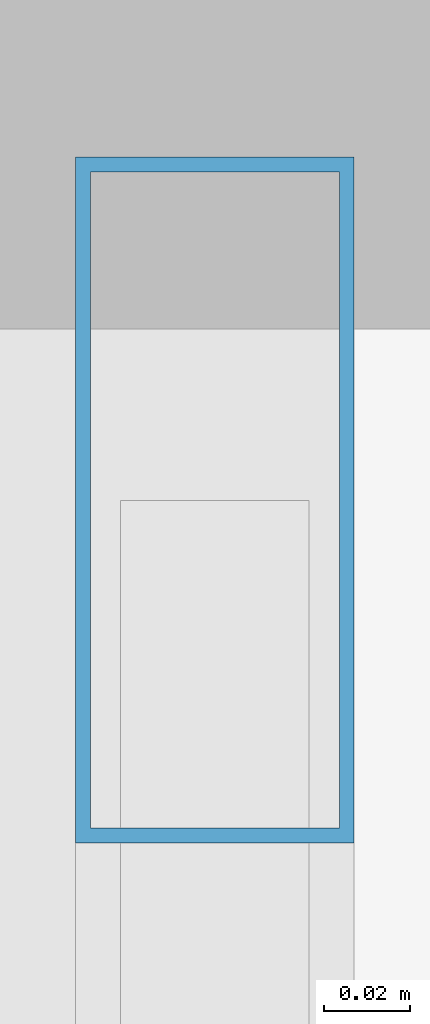
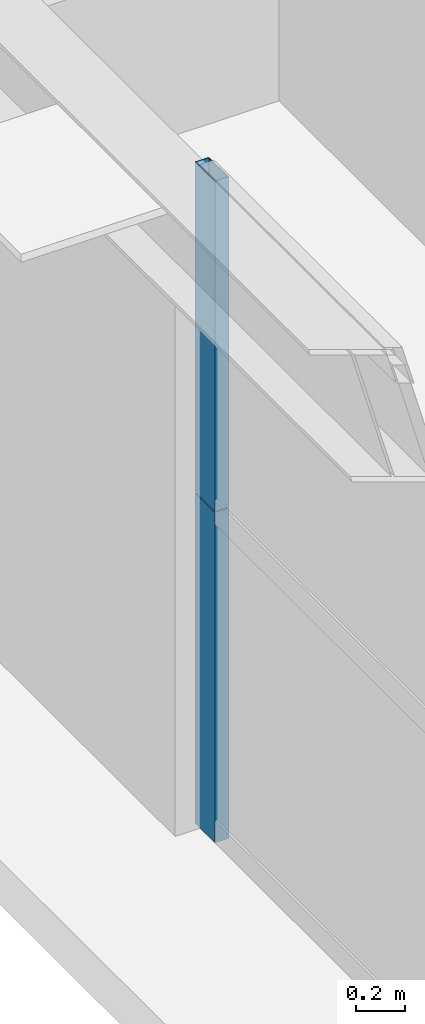
# One storey, part 23 of 38: 2 members, 1 element without a shape of its own.
"""IFC4 building model written with IfcOpenShell, lengths in metres."""

from ifc_helpers import new_model, si_unit, direction, frame, origin, origin_2d, place, context, subcontext, project, spatial, hollow_rectangle, extrude, source, transform, mapped, material, layer, layer_set, material_profile, profile_set, type_object, element, aggregate, save


model = new_model("IFC4")

# Units and contexts
model_context = context("Model", 3, precision=1e-05, world=origin(), true_north=direction((0.0, 1.0)))
body_context = subcontext(model_context, "Body", "Model", "MODEL_VIEW")
ifc_project = project(units=[si_unit("LENGTHUNIT", "METRE"), si_unit("AREAUNIT", "SQUARE_METRE"), si_unit("VOLUMEUNIT", "CUBIC_METRE"), si_unit("PLANEANGLEUNIT", "RADIAN"), si_unit("MASSUNIT", "GRAM", prefix="KILO"), si_unit("THERMODYNAMICTEMPERATUREUNIT", "KELVIN"), si_unit("POWERUNIT", "WATT")], contexts=[model_context])

# Site, building, storey
site_placement = place(None, origin())
site = spatial("IfcSite", under=ifc_project, at=site_placement, CompositionType="ELEMENT")
building_placement = place(site_placement, origin())
building = spatial("IfcBuilding", under=site, at=building_placement, Name="Yuzanri Waterfront Tower", CompositionType="ELEMENT")
storey_placement = place(building_placement, frame((0.0, 0.0, 209.0)))
storey = spatial("IfcBuildingStorey", under=building, at=storey_placement, Name="L55", CompositionType="ELEMENT", Elevation=209.0)

# Curtain wall, members
ifc_material_1 = material(Name="Anodized Architectural Bronze", Category="metal")
ifc_layer = layer(ifc_material_1, 0.159912109375)
ifc_layer_set = layer_set([ifc_layer], Name="Anodized Architectural Bronze")
curtain_wall_type = type_object("IfcCurtainWallType", Name="Anodized Bronze Mid-Rise Residential Acoustic Unitized Curtain Wall 7200", PredefinedType="NOTDEFINED", material=ifc_layer_set)
curtain_wall_placement = place(storey_placement, origin())
curtain_wall = element("IfcCurtainWall", 1, at=curtain_wall_placement, inside=storey, type_object=curtain_wall_type, Name="L55 Curtain Wall CW-L55-WR", PredefinedType="NOTDEFINED")
ifc_material_2 = material(Name="Anodized Architectural Bronze", Category="metal")
ifc_material_profile = material_profile(ifc_material_2, hollow_rectangle(XDim=0.06494140625, YDim=0.159912109375, WallThickness=0.00341796875, at=origin_2d()), Name="CWM 65x160")
ifc_profile_set = profile_set([ifc_material_profile], Name="Anodized Architectural Bronze")
member_type = type_object("IfcMemberType", Name="Anodized Bronze Upper-Zone Curtain-Wall Mullion 65x160", PredefinedType="MULLION", material=ifc_profile_set)
shared_shape = source(origin(), body_context, "Body", "SweptSolid", [
    extrude(hollow_rectangle(XDim=0.06494140625, YDim=0.159912109375, WallThickness=0.00341796875, at=origin_2d()), origin(), (0.0, 0.0, 1.0), 1.637939453125),
])
member_1_placement = place(storey_placement, frame((15.050048828125, 40.510009765625, 0.0), z_axis=(0.0, 0.0, 1.0), x_axis=(1.0, 0.0, 0.0)))
member_1 = element("IfcMember", 2, at=member_1_placement, type_object=member_type, Name="CW-L55-WR Lower Mullion 02", PredefinedType="MULLION", context=body_context, shape_type="MappedRepresentation", body=[
    mapped(shared_shape, transform((0.0, 0.0, 0.0), scale=1.0)),
])
member_2_placement = place(storey_placement, frame((15.050048828125, 40.510009765625, 1.64208984375), z_axis=(0.0, 0.0, 1.0), x_axis=(1.0, 0.0, 0.0)))
member_2 = element("IfcMember", 3, at=member_2_placement, type_object=member_type, Name="CW-L55-WR Upper Mullion 02", PredefinedType="MULLION", context=body_context, shape_type="MappedRepresentation", body=[
    mapped(shared_shape, transform((0.0, 0.0, 0.0), scale=1.0)),
])
aggregate(curtain_wall, [member_1, member_2])

save(model, "model.ifc")
